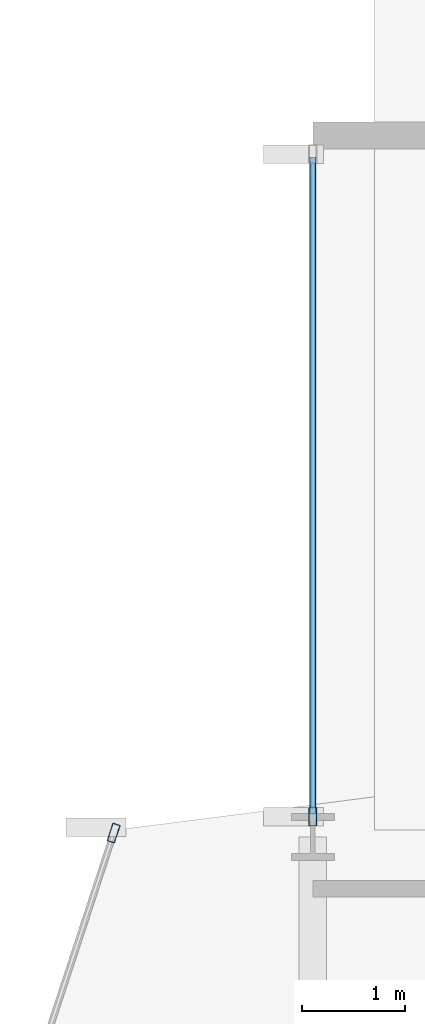
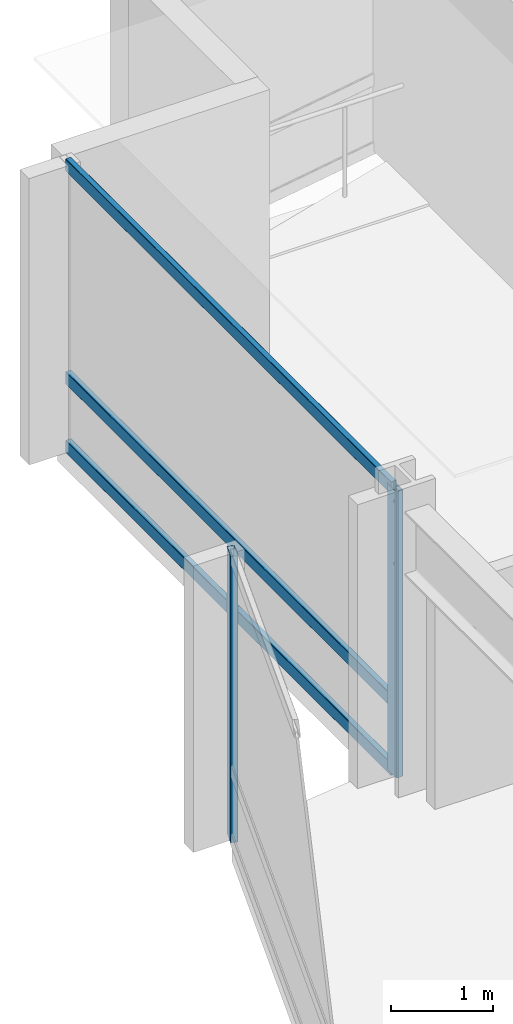
# One storey, part 16 of 29: 5 members, 2 elements without a shape of their own.
"""IFC4 building model written with IfcOpenShell, lengths in metres."""

import ifcopenshell
import ifcopenshell.guid

model = None  # the IFC model being written
_history = None  # IfcOwnerHistory: only IFC2X3 demands one
_inside = {}  # id of a spatial element -> (the spatial element, [elements in it])
_under = {}  # id of a project, library or spatial element -> (it, [spatial elements below it])
_declared = {}  # id of a project -> (the project, [libraries it declares])
_typed = {}  # id of a type object -> (the type object, [elements of that type])
_made_of = {}  # id of a material, layer set ... -> (it, [elements and type objects made of it])


def new_model(schema):
    """Start an empty IFC model of exactly this schema.

    Asked for "IFC4X3", IfcOpenShell would pick the latest addendum, in which some entities
    have other attributes; the version numbers below select the first issue.
    IFC2X3 requires an IfcOwnerHistory on every rooted entity: one is made here for all.
    """
    global model, _history
    if schema == "IFC4X3":
        model = ifcopenshell.file(schema_version=(4, 3, 0, 0))
    else:
        model = ifcopenshell.file(schema=schema)
    _inside.clear()
    _under.clear()
    _declared.clear()
    _typed.clear()
    _made_of.clear()
    _history = None
    if model.schema == "IFC2X3":
        org = make("IfcOrganization", Name="unknown")
        user = make(
            "IfcPersonAndOrganization",
            ThePerson=make("IfcPerson", FamilyName="unknown"),
            TheOrganization=org,
        )
        app = make(
            "IfcApplication",
            ApplicationDeveloper=org,
            Version="unknown",
            ApplicationFullName="unknown",
            ApplicationIdentifier="unknown",
        )
        _history = make(
            "IfcOwnerHistory",
            OwningUser=user,
            OwningApplication=app,
            ChangeAction="ADDED",
            CreationDate=0,
        )
    return model


def make(cls, **values):
    """One entity of the class cls with the attributes given. An attribute that is None is left unset."""
    return model.create_entity(
        cls, **{name: value for name, value in values.items() if value is not None}
    )


def rooted(cls, **values):
    """An entity with a GlobalId (a new one), such as an element, a storey or a relation."""
    return make(cls, GlobalId=ifcopenshell.guid.new(), OwnerHistory=_history, **values)


def si_unit(unit_type, name, prefix=None):
    """IfcSIUnit, for example si_unit("LENGTHUNIT", "METRE", prefix="MILLI")."""
    return make("IfcSIUnit", UnitType=unit_type, Prefix=prefix, Name=name)


def assignment(units):
    """IfcUnitAssignment: the units of a project."""
    return None if units is None else make("IfcUnitAssignment", Units=units)


def point(xyz):
    """IfcCartesianPoint."""
    return None if xyz is None else make("IfcCartesianPoint", Coordinates=xyz)


def direction(xyz):
    """IfcDirection."""
    return None if xyz is None else make("IfcDirection", DirectionRatios=xyz)


def frame(location, z_axis=None, x_axis=None):
    """IfcAxis2Placement3D, a coordinate frame: its origin and axes. An axis left out is left unset."""
    return make(
        "IfcAxis2Placement3D",
        Location=point(location),
        Axis=direction(z_axis),
        RefDirection=direction(x_axis),
    )


def frame_2d(location, x_axis=None):
    """IfcAxis2Placement2D, a coordinate frame in the plane: its origin and x axis."""
    return make(
        "IfcAxis2Placement2D", Location=point(location), RefDirection=direction(x_axis)
    )


def origin():
    """The frame at (0, 0, 0) with its axes left unset."""
    return frame((0.0, 0.0, 0.0))


def origin_2d():
    """The frame at (0, 0) in the plane with its x axis left unset."""
    return frame_2d((0.0, 0.0))


def place(relative_to, where):
    """IfcLocalPlacement: puts the frame where relative to a parent placement (None: the world)."""
    return make(
        "IfcLocalPlacement", PlacementRelTo=relative_to, RelativePlacement=where
    )


def context(
    kind, dimensions, precision=None, world=None, true_north=None, identifier=None
):
    """IfcGeometricRepresentationContext, for example the 3D "Model" context."""
    return make(
        "IfcGeometricRepresentationContext",
        ContextIdentifier=identifier,
        ContextType=kind,
        CoordinateSpaceDimension=dimensions,
        Precision=precision,
        WorldCoordinateSystem=world,
        TrueNorth=true_north,
    )


def subcontext(parent, identifier, kind, view, scale=None):
    """IfcGeometricRepresentationSubContext, for example "Body" below "Model"."""
    return make(
        "IfcGeometricRepresentationSubContext",
        ContextIdentifier=identifier,
        ContextType=kind,
        ParentContext=parent,
        TargetScale=scale,
        TargetView=view,
    )


def project(units=None, contexts=None):
    """IfcProject with its units and contexts."""
    return rooted(
        "IfcProject",
        Name="project",
        RepresentationContexts=contexts,
        UnitsInContext=assignment(units),
    )


def spatial(cls, under=None, at=None, **own):
    """A site, building, storey or space (cls), placed at a placement, below another one or the project."""
    s = rooted(cls, ObjectPlacement=at, **own)
    if under is not None:
        _under.setdefault(under.id(), (under, []))[1].append(s)
    return s


def profile(cls, at=None, kind="AREA", **sizes):
    """A parametric profile (cls). Its sizes go by their IFC names, for example OverallWidth=200.0."""
    return make(cls, ProfileType=kind, Position=at, **sizes)


def hollow_rectangle(**sizes):
    """IfcRectangleHollowProfileDef."""
    return profile("IfcRectangleHollowProfileDef", **sizes)


def extrude(swept, where, along, depth):
    """IfcExtrudedAreaSolid: the profile swept, set in the frame where, extruded along a direction by depth."""
    return make(
        "IfcExtrudedAreaSolid",
        SweptArea=swept,
        Position=where,
        ExtrudedDirection=direction(along),
        Depth=depth,
    )


def shape(context_of_items, identifier, shape_type, items):
    """IfcShapeRepresentation: the items that make up one representation, for example the "Body"."""
    return make(
        "IfcShapeRepresentation",
        ContextOfItems=context_of_items,
        RepresentationIdentifier=identifier,
        RepresentationType=shape_type,
        Items=items,
    )


def material(Name=None, Category=None):
    """IfcMaterial."""
    return make("IfcMaterial", Name=Name, Category=Category)


def layer(
    of_material, thickness, ventilated=None, Name=None, Category=None, Priority=None
):
    """IfcMaterialLayer: one layer of a wall or slab, of a material (None: an air gap)."""
    return make(
        "IfcMaterialLayer",
        Material=of_material,
        LayerThickness=thickness,
        IsVentilated=ventilated,
        Name=Name,
        Category=Category,
        Priority=Priority,
    )


def layer_set(layers, Name=None):
    """IfcMaterialLayerSet."""
    return make("IfcMaterialLayerSet", MaterialLayers=layers, LayerSetName=Name)


def material_profile(
    of_material, cross_section, Name=None, Category=None, Priority=None
):
    """IfcMaterialProfile: a cross section and its material."""
    return make(
        "IfcMaterialProfile",
        Name=Name,
        Material=of_material,
        Profile=cross_section,
        Priority=Priority,
        Category=Category,
    )


def profile_set(profiles, Name=None, composite=None):
    """IfcMaterialProfileSet."""
    return make(
        "IfcMaterialProfileSet",
        Name=Name,
        MaterialProfiles=profiles,
        CompositeProfile=composite,
    )


def made_of(thing, what):
    """Note that an element or type object is made of a material, layer set ...; save() writes the relation."""
    if what is not None:
        _made_of.setdefault(what.id(), (what, []))[1].append(thing)
    return thing


def type_object(cls, material=None, **own):
    """A type object (cls), such as IfcWallType, which elements share."""
    return made_of(rooted(cls, **own), material)


def element(
    cls,
    number,
    at=None,
    inside=None,
    cuts=None,
    type_object=None,
    material=None,
    context=None,
    identifier="Body",
    shape_type=None,
    held_by="IfcProductDefinitionShape",
    body=None,
    shapes=None,
    **own,
):
    """One element of the class cls, such as IfcWall. Its Tag is "e" and its number.

    at: its placement. inside: the storey or other place that contains it. cuts: it is an
    opening in that element (IfcRelVoidsElement). A single representation is given by context,
    identifier, shape_type and body (its items); several are given by shapes. held_by: the class
    of the entity that holds the representations. save() writes the other relations.
    """
    e = rooted(cls, Tag="e%d" % number, ObjectPlacement=at, **own)
    if body is not None:
        shapes = [shape(context, identifier, shape_type, body)]
    if shapes is not None:
        e.Representation = make(held_by, Representations=shapes)
    if inside is not None:
        _inside.setdefault(inside.id(), (inside, []))[1].append(e)
    if cuts is not None:
        rooted(
            "IfcRelVoidsElement", RelatingBuildingElement=cuts, RelatedOpeningElement=e
        )
    if type_object is not None:
        _typed.setdefault(type_object.id(), (type_object, []))[1].append(e)
    return made_of(e, material)


def aggregate(whole, parts):
    """IfcRelAggregates: a whole, such as a stair, and the parts it consists of."""
    return rooted("IfcRelAggregates", RelatingObject=whole, RelatedObjects=parts)


def save(model, path):
    """Write the relations noted so far, then the file.

    IfcRelAggregates (storeys below a building ...), IfcRelContainedInSpatialStructure (elements
    in a storey), IfcRelDefinesByType, IfcRelAssociatesMaterial and IfcRelDeclares: one each for
    every whole, place, type object, material and project.
    """
    for whole, parts in _under.values():
        aggregate(whole, parts)
    for where, things in _inside.values():
        rooted(
            "IfcRelContainedInSpatialStructure",
            RelatedElements=things,
            RelatingStructure=where,
        )
    for kind, things in _typed.values():
        rooted("IfcRelDefinesByType", RelatedObjects=things, RelatingType=kind)
    for what, things in _made_of.values():
        rooted("IfcRelAssociatesMaterial", RelatedObjects=things, RelatingMaterial=what)
    for by, libraries in _declared.values():
        rooted("IfcRelDeclares", RelatingContext=by, RelatedDefinitions=libraries)
    model.write(path)


model = new_model("IFC4")

# Units and contexts
model_context = context("Model", 3, precision=1e-05, world=origin(), true_north=direction((0.0, 1.0)))
body_context = subcontext(model_context, "Body", "Model", "MODEL_VIEW")
ifc_project = project(units=[si_unit("LENGTHUNIT", "METRE"), si_unit("AREAUNIT", "SQUARE_METRE"), si_unit("VOLUMEUNIT", "CUBIC_METRE"), si_unit("PLANEANGLEUNIT", "RADIAN"), si_unit("MASSUNIT", "GRAM", prefix="KILO")], contexts=[model_context])

# Site, building, storey
site_placement = place(None, origin())
site = spatial("IfcSite", under=ifc_project, at=site_placement, CompositionType="ELEMENT")
building_placement = place(site_placement, origin())
building = spatial("IfcBuilding", under=site, at=building_placement, Name="Solvaryn Broadcast Tower", CompositionType="ELEMENT")
storey_placement = place(building_placement, frame((0.0, 0.0, 124.800048828125)))
storey = spatial("IfcBuildingStorey", under=building, at=storey_placement, Name="L30", CompositionType="ELEMENT", Elevation=124.800048828125)

# Curtain wall, member
ifc_material_1 = material(Name="Aluminium and Terracotta Unitised Curtain Wall", Category="masonry")
ifc_layer = layer(ifc_material_1, 0.199951171875)
ifc_layer_set = layer_set([ifc_layer], Name="CW-SYS2-LOWMID")
curtain_wall_type = type_object("IfcCurtainWallType", Name="CW-SYS2-LOWMID", PredefinedType="NOTDEFINED", material=ifc_layer_set)
curtain_wall_1_placement = place(storey_placement, origin())
curtain_wall_1 = element("IfcCurtainWall", 1, at=curtain_wall_1_placement, inside=storey, type_object=curtain_wall_type, Name="L30 Curtain Wall DR1", PredefinedType="NOTDEFINED")
ifc_material_2 = material(Name="Anodised Aluminium 6063-T6", Category="aluminium")
ifc_material_profile_1 = material_profile(ifc_material_2, hollow_rectangle(XDim=0.074951171875, YDim=0.179931640625, WallThickness=0.00390625, InnerFilletRadius=0.00390625, OuterFilletRadius=0.008056640625, at=origin_2d()))
ifc_profile_set_1 = profile_set([ifc_material_profile_1], Name="Anodised Aluminium 6063-T6")
member_type_1 = type_object("IfcMemberType", Name="CW-MUL-180", PredefinedType="MULLION", material=ifc_profile_set_1)
member_1_placement = place(storey_placement, frame((7.069580078125, 45.03857421875, 0.0), z_axis=(0.0, 0.0, 1.0), x_axis=(0.950198260794, -0.311646057547, 0.0)))
member_1 = element("IfcMember", 2, at=member_1_placement, type_object=member_type_1, Name="CWS2 mullion 1", PredefinedType="MULLION", context=body_context, shape_type="SweptSolid", body=[
    extrude(hollow_rectangle(XDim=0.074951171875, YDim=0.179931640625, WallThickness=0.00390625, InnerFilletRadius=0.00390625, OuterFilletRadius=0.008056640625, at=origin_2d()), origin(), (0.0, 0.0, 1.0), 3.419921875),
])
aggregate(curtain_wall_1, [member_1])

# Curtain wall, members
curtain_wall_2_placement = place(storey_placement, origin())
curtain_wall_2 = element("IfcCurtainWall", 3, at=curtain_wall_2_placement, inside=storey, type_object=curtain_wall_type, Name="L30 Curtain Wall W2", PredefinedType="NOTDEFINED")
member_2_placement = place(storey_placement, frame((9.0, 45.197021484375, 0.0), z_axis=(0.0, 0.0, 1.0), x_axis=(-1.0, 0.0, 0.0)))
member_2 = element("IfcMember", 4, at=member_2_placement, type_object=member_type_1, Name="CWS2 mullion 1", PredefinedType="MULLION", context=body_context, shape_type="SweptSolid", body=[
    extrude(hollow_rectangle(XDim=0.074951171875, YDim=0.179931640625, WallThickness=0.00390625, InnerFilletRadius=0.00390625, OuterFilletRadius=0.008056640625, at=origin_2d()), origin(), (0.0, 0.0, 1.0), 3.419921875),
])
ifc_material_3 = material(Name="Anodised Aluminium 6063-T6", Category="aluminium")
ifc_material_profile_2 = material_profile(ifc_material_3, hollow_rectangle(XDim=0.06494140625, YDim=0.14990234375, WallThickness=0.00390625, InnerFilletRadius=0.00390625, OuterFilletRadius=0.008056640625, at=origin_2d()))
ifc_profile_set_2 = profile_set([ifc_material_profile_2], Name="Anodised Aluminium 6063-T6")
member_type_2 = type_object("IfcMemberType", Name="CW-TRN-150", PredefinedType="USERDEFINED", material=ifc_profile_set_2)
member_3_placement = place(storey_placement, frame((9.0, 45.22705078125, 0.030029296875), z_axis=(0.0, 1.0, 0.0), x_axis=(-1.0, 0.0, 0.0)))
member_3 = element("IfcMember", 5, at=member_3_placement, type_object=member_type_2, Name="CWS2 transom 1.1", ObjectType="TRANSOM", PredefinedType="USERDEFINED", context=body_context, shape_type="SweptSolid", body=[
    extrude(hollow_rectangle(XDim=0.06494140625, YDim=0.14990234375, WallThickness=0.00390625, InnerFilletRadius=0.00390625, OuterFilletRadius=0.008056640625, at=origin_2d()), origin(), (0.0, 0.0, 1.0), 6.363037109375),
])
member_4_placement = place(storey_placement, frame((9.0, 45.22705078125, 0.849853515625), z_axis=(0.0, 1.0, 0.0), x_axis=(-1.0, 0.0, 0.0)))
member_4 = element("IfcMember", 6, at=member_4_placement, type_object=member_type_2, Name="CWS2 transom 1.2", ObjectType="TRANSOM", PredefinedType="USERDEFINED", context=body_context, shape_type="SweptSolid", body=[
    extrude(hollow_rectangle(XDim=0.06494140625, YDim=0.14990234375, WallThickness=0.00390625, InnerFilletRadius=0.00390625, OuterFilletRadius=0.008056640625, at=origin_2d()), origin(), (0.0, 0.0, 1.0), 6.363037109375),
])
member_5_placement = place(storey_placement, frame((9.0, 45.22705078125, 3.389892578125), z_axis=(0.0, 1.0, 0.0), x_axis=(-1.0, 0.0, 0.0)))
member_5 = element("IfcMember", 7, at=member_5_placement, type_object=member_type_2, Name="CWS2 transom 1.3", ObjectType="TRANSOM", PredefinedType="USERDEFINED", context=body_context, shape_type="SweptSolid", body=[
    extrude(hollow_rectangle(XDim=0.06494140625, YDim=0.14990234375, WallThickness=0.00390625, InnerFilletRadius=0.00390625, OuterFilletRadius=0.008056640625, at=origin_2d()), origin(), (0.0, 0.0, 1.0), 6.363037109375),
])
aggregate(curtain_wall_2, [member_2, member_3, member_4, member_5])

save(model, "model.ifc")
